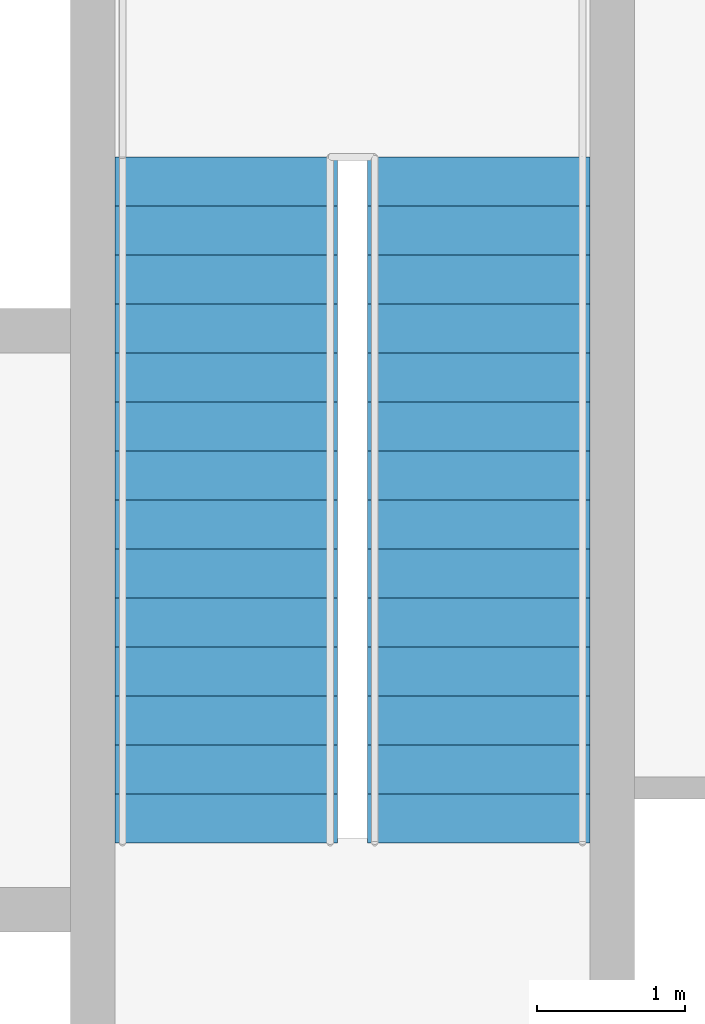
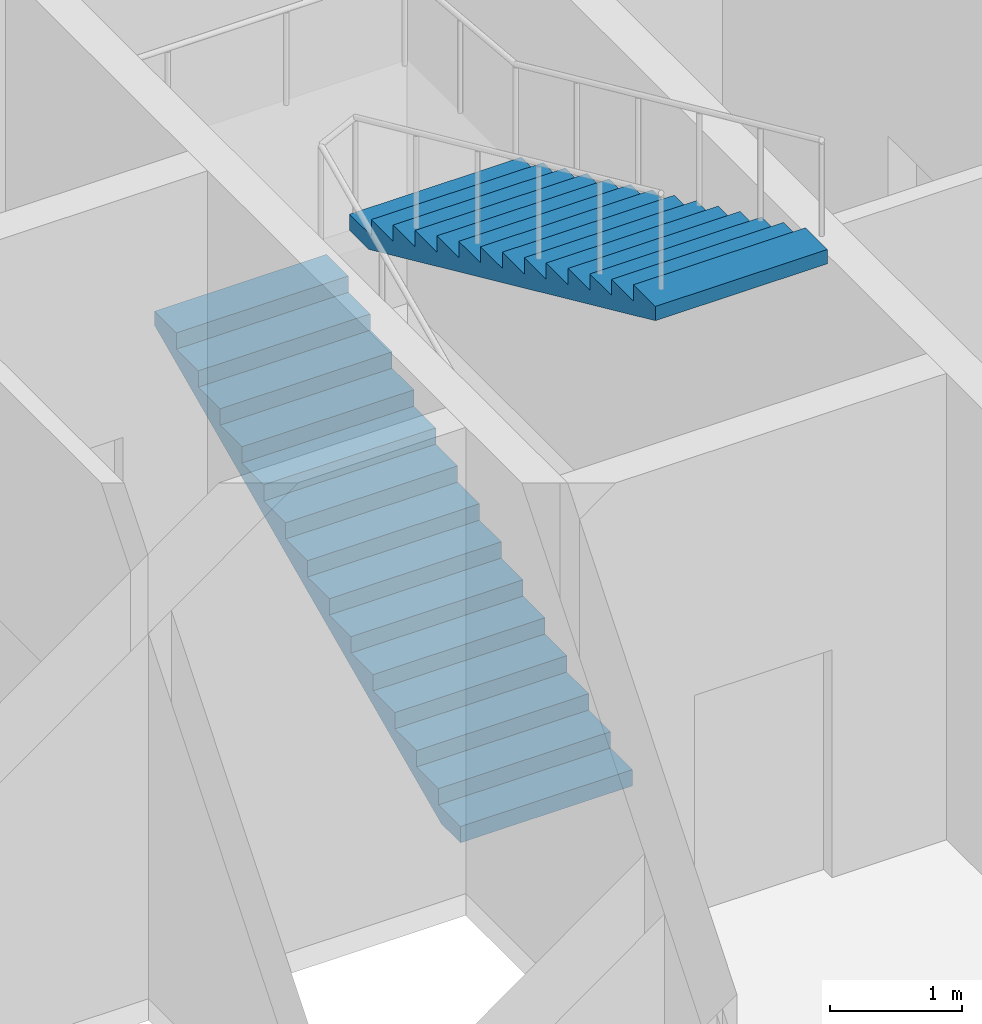
# One storey, part 10 of 11: 2 stair flights, 1 element without a shape of its own.
"""IFC4 building model written with IfcOpenShell, lengths in metres."""

from ifc_helpers import new_model, si_unit, direction, frame, origin, place, context, subcontext, project, spatial, polygons, material, type_object, element, aggregate, save


model = new_model("IFC4")

# Units and contexts
model_context = context("Model", 3, precision=1e-05, world=origin(), true_north=direction((0.0, 1.0)))
body_context = subcontext(model_context, "Body", "Model", "MODEL_VIEW")
ifc_project = project(units=[si_unit("LENGTHUNIT", "METRE"), si_unit("AREAUNIT", "SQUARE_METRE"), si_unit("VOLUMEUNIT", "CUBIC_METRE"), si_unit("PLANEANGLEUNIT", "RADIAN"), si_unit("MASSUNIT", "GRAM", prefix="KILO")], contexts=[model_context])

# Site, building, storey
site_placement = place(None, origin())
site = spatial("IfcSite", under=ifc_project, at=site_placement, CompositionType="ELEMENT")
building_placement = place(site_placement, origin())
building = spatial("IfcBuilding", under=site, at=building_placement, Name="Njiva Tower", CompositionType="ELEMENT")
storey_placement = place(building_placement, frame((0.0, 0.0, 120.3)))
storey = spatial("IfcBuildingStorey", under=building, at=storey_placement, Name="L25", CompositionType="ELEMENT", Elevation=120.3)

# Stair, stair flights
ifc_material = material(Name="Concrete C40/50", Category="concrete")
stair_type = type_object("IfcStairType", Name="ST4 Exit stair 1500", PredefinedType="HALF_TURN_STAIR", material=ifc_material)
stair_placement = place(storey_placement, origin())
stair = element("IfcStair", 1, at=stair_placement, inside=storey, type_object=stair_type, Name="Stair B", PredefinedType="HALF_TURN_STAIR")
stair_flight_type = type_object("IfcStairFlightType", Name="FL4 Stair flight 1500", PredefinedType="STRAIGHT", material=ifc_material)
stair_flight_1_placement = place(storey_placement, frame((11.75, 11.1, 0.0), z_axis=(0.0, 0.0, 1.0), x_axis=(0.0, 1.0, 0.0)))
stair_flight_1 = element("IfcStairFlight", 2, at=stair_flight_1_placement, type_object=stair_flight_type, Name="ST-B flight 1", NumberOfRisers=15, NumberOfTreads=14, PredefinedType="STRAIGHT", RiserHeight=0.15, TreadLength=0.33, context=body_context, shape_type="Tessellation", body=[
    polygons([(0.0, 0.75, 0.0), (0.0, 0.375, 0.0), (0.0, 0.0, 0.0), (0.0, -0.375, 0.0), (0.0, -0.75, 0.0), (0.0, 0.75, 0.15), (0.0, 0.375, 0.15), (0.0, 0.0, 0.15), (0.0, -0.375, 0.15), (0.0, -0.75, 0.15), (0.33, 0.75, 0.15), (0.33, 0.375, 0.15), (0.33, 0.0, 0.15), (0.33, -0.375, 0.15), (0.33, -0.75, 0.15), (0.33, 0.75, 0.3), (0.33, 0.375, 0.3), (0.33, 0.0, 0.3), (0.33, -0.375, 0.3), (0.33, -0.75, 0.3), (0.66, 0.75, 0.3), (0.66, 0.375, 0.3), (0.66, 0.0, 0.3), (0.66, -0.375, 0.3), (0.66, -0.75, 0.3), (0.66, 0.75, 0.45), (0.66, 0.375, 0.45), (0.66, 0.0, 0.45), (0.66, -0.375, 0.45), (0.66, -0.75, 0.45), (0.99, 0.75, 0.45), (0.99, 0.375, 0.45), (0.99, 0.0, 0.45), (0.99, -0.375, 0.45), (0.99, -0.75, 0.45), (0.99, 0.75, 0.6), (0.99, 0.375, 0.6), (0.99, 0.0, 0.6), (0.99, -0.375, 0.6), (0.99, -0.75, 0.6), (1.32, 0.75, 0.6), (1.32, 0.375, 0.6), (1.32, 0.0, 0.6), (1.32, -0.375, 0.6), (1.32, -0.75, 0.6), (1.32, 0.75, 0.75), (1.32, 0.375, 0.75), (1.32, 0.0, 0.75), (1.32, -0.375, 0.75), (1.32, -0.75, 0.75), (1.65, 0.75, 0.75), (1.65, 0.375, 0.75), (1.65, 0.0, 0.75), (1.65, -0.375, 0.75), (1.65, -0.75, 0.75), (1.65, 0.75, 0.9), (1.65, 0.375, 0.9), (1.65, 0.0, 0.9), (1.65, -0.375, 0.9), (1.65, -0.75, 0.9), (1.98, 0.75, 0.9), (1.98, 0.375, 0.9), (1.98, 0.0, 0.9), (1.98, -0.375, 0.9), (1.98, -0.75, 0.9), (1.98, 0.75, 1.05), (1.98, 0.375, 1.05), (1.98, 0.0, 1.05), (1.98, -0.375, 1.05), (1.98, -0.75, 1.05), (2.31, 0.75, 1.05), (2.31, 0.375, 1.05), (2.31, 0.0, 1.05), (2.31, -0.375, 1.05), (2.31, -0.75, 1.05), (2.31, 0.75, 1.2), (2.31, 0.375, 1.2), (2.31, 0.0, 1.2), (2.31, -0.375, 1.2), (2.31, -0.75, 1.2), (2.64, 0.75, 1.2), (2.64, 0.375, 1.2), (2.64, 0.0, 1.2), (2.64, -0.375, 1.2), (2.64, -0.75, 1.2), (2.64, 0.75, 1.35), (2.64, 0.375, 1.35), (2.64, 0.0, 1.35), (2.64, -0.375, 1.35), (2.64, -0.75, 1.35), (2.97, 0.75, 1.35), (2.97, 0.375, 1.35), (2.97, 0.0, 1.35), (2.97, -0.375, 1.35), (2.97, -0.75, 1.35), (2.97, 0.75, 1.5), (2.97, 0.375, 1.5), (2.97, 0.0, 1.5), (2.97, -0.375, 1.5), (2.97, -0.75, 1.5), (3.3, 0.75, 1.5), (3.3, 0.375, 1.5), (3.3, 0.0, 1.5), (3.3, -0.375, 1.5), (3.3, -0.75, 1.5), (3.3, 0.75, 1.65), (3.3, 0.375, 1.65), (3.3, 0.0, 1.65), (3.3, -0.375, 1.65), (3.3, -0.75, 1.65), (3.63, 0.75, 1.65), (3.63, 0.375, 1.65), (3.63, 0.0, 1.65), (3.63, -0.375, 1.65), (3.63, -0.75, 1.65), (3.63, 0.75, 1.8), (3.63, 0.375, 1.8), (3.63, 0.0, 1.8), (3.63, -0.375, 1.8), (3.63, -0.75, 1.8), (3.96, 0.75, 1.8), (3.96, 0.375, 1.8), (3.96, 0.0, 1.8), (3.96, -0.375, 1.8), (3.96, -0.75, 1.8), (3.96, 0.75, 1.95), (3.96, 0.375, 1.95), (3.96, 0.0, 1.95), (3.96, -0.375, 1.95), (3.96, -0.75, 1.95), (4.29, 0.75, 1.95), (4.29, 0.375, 1.95), (4.29, 0.0, 1.95), (4.29, -0.375, 1.95), (4.29, -0.75, 1.95), (4.29, 0.75, 2.1), (4.29, 0.375, 2.1), (4.29, 0.0, 2.1), (4.29, -0.375, 2.1), (4.29, -0.75, 2.1), (4.62, 0.75, 2.1), (4.62, 0.375, 2.1), (4.62, 0.0, 2.1), (4.62, -0.375, 2.1), (4.62, -0.75, 2.1), (4.62, 0.75, 1.9682), (4.62, 0.375, 1.9682), (4.62, 0.0, 1.9682), (4.62, -0.375, 1.9682), (4.62, -0.75, 1.9682), (0.29, 0.75, 0.0), (0.29, 0.375, 0.0), (0.29, 0.0, 0.0), (0.29, -0.375, 0.0), (0.29, -0.75, 0.0)], [[[1, 6, 11, 16, 21, 26, 31, 36, 41, 46, 51, 56, 61, 66, 71, 76, 81, 86, 91, 96, 101, 106, 111, 116, 121, 126, 131, 136, 141, 146, 151]], [[155, 150, 145, 140, 135, 130, 125, 120, 115, 110, 105, 100, 95, 90, 85, 80, 75, 70, 65, 60, 55, 50, 45, 40, 35, 30, 25, 20, 15, 10, 5]], [[6, 1, 2, 7]], [[7, 2, 3, 8]], [[8, 3, 4, 9]], [[9, 4, 5, 10]], [[11, 6, 7, 12]], [[12, 7, 8, 13]], [[13, 8, 9, 14]], [[14, 9, 10, 15]], [[16, 11, 12, 17]], [[17, 12, 13, 18]], [[18, 13, 14, 19]], [[19, 14, 15, 20]], [[21, 16, 17, 22]], [[22, 17, 18, 23]], [[23, 18, 19, 24]], [[24, 19, 20, 25]], [[26, 21, 22, 27]], [[27, 22, 23, 28]], [[28, 23, 24, 29]], [[29, 24, 25, 30]], [[31, 26, 27, 32]], [[32, 27, 28, 33]], [[33, 28, 29, 34]], [[34, 29, 30, 35]], [[36, 31, 32, 37]], [[37, 32, 33, 38]], [[38, 33, 34, 39]], [[39, 34, 35, 40]], [[41, 36, 37, 42]], [[42, 37, 38, 43]], [[43, 38, 39, 44]], [[44, 39, 40, 45]], [[46, 41, 42, 47]], [[47, 42, 43, 48]], [[48, 43, 44, 49]], [[49, 44, 45, 50]], [[51, 46, 47, 52]], [[52, 47, 48, 53]], [[53, 48, 49, 54]], [[54, 49, 50, 55]], [[56, 51, 52, 57]], [[57, 52, 53, 58]], [[58, 53, 54, 59]], [[59, 54, 55, 60]], [[61, 56, 57, 62]], [[62, 57, 58, 63]], [[63, 58, 59, 64]], [[64, 59, 60, 65]], [[66, 61, 62, 67]], [[67, 62, 63, 68]], [[68, 63, 64, 69]], [[69, 64, 65, 70]], [[71, 66, 67, 72]], [[72, 67, 68, 73]], [[73, 68, 69, 74]], [[74, 69, 70, 75]], [[76, 71, 72, 77]], [[77, 72, 73, 78]], [[78, 73, 74, 79]], [[79, 74, 75, 80]], [[81, 76, 77, 82]], [[82, 77, 78, 83]], [[83, 78, 79, 84]], [[84, 79, 80, 85]], [[86, 81, 82, 87]], [[87, 82, 83, 88]], [[88, 83, 84, 89]], [[89, 84, 85, 90]], [[91, 86, 87, 92]], [[92, 87, 88, 93]], [[93, 88, 89, 94]], [[94, 89, 90, 95]], [[96, 91, 92, 97]], [[97, 92, 93, 98]], [[98, 93, 94, 99]], [[99, 94, 95, 100]], [[101, 96, 97, 102]], [[102, 97, 98, 103]], [[103, 98, 99, 104]], [[104, 99, 100, 105]], [[106, 101, 102, 107]], [[107, 102, 103, 108]], [[108, 103, 104, 109]], [[109, 104, 105, 110]], [[111, 106, 107, 112]], [[112, 107, 108, 113]], [[113, 108, 109, 114]], [[114, 109, 110, 115]], [[116, 111, 112, 117]], [[117, 112, 113, 118]], [[118, 113, 114, 119]], [[119, 114, 115, 120]], [[121, 116, 117, 122]], [[122, 117, 118, 123]], [[123, 118, 119, 124]], [[124, 119, 120, 125]], [[126, 121, 122, 127]], [[127, 122, 123, 128]], [[128, 123, 124, 129]], [[129, 124, 125, 130]], [[131, 126, 127, 132]], [[132, 127, 128, 133]], [[133, 128, 129, 134]], [[134, 129, 130, 135]], [[136, 131, 132, 137]], [[137, 132, 133, 138]], [[138, 133, 134, 139]], [[139, 134, 135, 140]], [[141, 136, 137, 142]], [[142, 137, 138, 143]], [[143, 138, 139, 144]], [[144, 139, 140, 145]], [[146, 141, 142, 147]], [[147, 142, 143, 148]], [[148, 143, 144, 149]], [[149, 144, 145, 150]], [[151, 146, 147, 152]], [[152, 147, 148, 153]], [[153, 148, 149, 154]], [[154, 149, 150, 155]], [[1, 151, 152, 2]], [[2, 152, 153, 3]], [[3, 153, 154, 4]], [[4, 154, 155, 5]]], closed=True),
])
stair_flight_2_placement = place(storey_placement, frame((13.45, 15.72, 2.25), z_axis=(0.0, 0.0, 1.0), x_axis=(0.0, -1.0, 0.0)))
stair_flight_2 = element("IfcStairFlight", 3, at=stair_flight_2_placement, type_object=stair_flight_type, Name="ST-B flight 2", NumberOfRisers=15, NumberOfTreads=14, PredefinedType="STRAIGHT", RiserHeight=0.15, TreadLength=0.33, context=body_context, shape_type="Tessellation", body=[
    polygons([(0.0, 0.75, 0.0), (0.0, 0.375, 0.0), (0.0, 0.0, 0.0), (0.0, -0.375, 0.0), (0.0, -0.75, 0.0), (0.0, 0.75, 0.15), (0.0, 0.375, 0.15), (0.0, 0.0, 0.15), (0.0, -0.375, 0.15), (0.0, -0.75, 0.15), (0.33, 0.75, 0.15), (0.33, 0.375, 0.15), (0.33, 0.0, 0.15), (0.33, -0.375, 0.15), (0.33, -0.75, 0.15), (0.33, 0.75, 0.3), (0.33, 0.375, 0.3), (0.33, 0.0, 0.3), (0.33, -0.375, 0.3), (0.33, -0.75, 0.3), (0.66, 0.75, 0.3), (0.66, 0.375, 0.3), (0.66, 0.0, 0.3), (0.66, -0.375, 0.3), (0.66, -0.75, 0.3), (0.66, 0.75, 0.45), (0.66, 0.375, 0.45), (0.66, 0.0, 0.45), (0.66, -0.375, 0.45), (0.66, -0.75, 0.45), (0.99, 0.75, 0.45), (0.99, 0.375, 0.45), (0.99, 0.0, 0.45), (0.99, -0.375, 0.45), (0.99, -0.75, 0.45), (0.99, 0.75, 0.6), (0.99, 0.375, 0.6), (0.99, 0.0, 0.6), (0.99, -0.375, 0.6), (0.99, -0.75, 0.6), (1.32, 0.75, 0.6), (1.32, 0.375, 0.6), (1.32, 0.0, 0.6), (1.32, -0.375, 0.6), (1.32, -0.75, 0.6), (1.32, 0.75, 0.75), (1.32, 0.375, 0.75), (1.32, 0.0, 0.75), (1.32, -0.375, 0.75), (1.32, -0.75, 0.75), (1.65, 0.75, 0.75), (1.65, 0.375, 0.75), (1.65, 0.0, 0.75), (1.65, -0.375, 0.75), (1.65, -0.75, 0.75), (1.65, 0.75, 0.9), (1.65, 0.375, 0.9), (1.65, 0.0, 0.9), (1.65, -0.375, 0.9), (1.65, -0.75, 0.9), (1.98, 0.75, 0.9), (1.98, 0.375, 0.9), (1.98, 0.0, 0.9), (1.98, -0.375, 0.9), (1.98, -0.75, 0.9), (1.98, 0.75, 1.05), (1.98, 0.375, 1.05), (1.98, 0.0, 1.05), (1.98, -0.375, 1.05), (1.98, -0.75, 1.05), (2.31, 0.75, 1.05), (2.31, 0.375, 1.05), (2.31, 0.0, 1.05), (2.31, -0.375, 1.05), (2.31, -0.75, 1.05), (2.31, 0.75, 1.2), (2.31, 0.375, 1.2), (2.31, 0.0, 1.2), (2.31, -0.375, 1.2), (2.31, -0.75, 1.2), (2.64, 0.75, 1.2), (2.64, 0.375, 1.2), (2.64, 0.0, 1.2), (2.64, -0.375, 1.2), (2.64, -0.75, 1.2), (2.64, 0.75, 1.35), (2.64, 0.375, 1.35), (2.64, 0.0, 1.35), (2.64, -0.375, 1.35), (2.64, -0.75, 1.35), (2.97, 0.75, 1.35), (2.97, 0.375, 1.35), (2.97, 0.0, 1.35), (2.97, -0.375, 1.35), (2.97, -0.75, 1.35), (2.97, 0.75, 1.5), (2.97, 0.375, 1.5), (2.97, 0.0, 1.5), (2.97, -0.375, 1.5), (2.97, -0.75, 1.5), (3.3, 0.75, 1.5), (3.3, 0.375, 1.5), (3.3, 0.0, 1.5), (3.3, -0.375, 1.5), (3.3, -0.75, 1.5), (3.3, 0.75, 1.65), (3.3, 0.375, 1.65), (3.3, 0.0, 1.65), (3.3, -0.375, 1.65), (3.3, -0.75, 1.65), (3.63, 0.75, 1.65), (3.63, 0.375, 1.65), (3.63, 0.0, 1.65), (3.63, -0.375, 1.65), (3.63, -0.75, 1.65), (3.63, 0.75, 1.8), (3.63, 0.375, 1.8), (3.63, 0.0, 1.8), (3.63, -0.375, 1.8), (3.63, -0.75, 1.8), (3.96, 0.75, 1.8), (3.96, 0.375, 1.8), (3.96, 0.0, 1.8), (3.96, -0.375, 1.8), (3.96, -0.75, 1.8), (3.96, 0.75, 1.95), (3.96, 0.375, 1.95), (3.96, 0.0, 1.95), (3.96, -0.375, 1.95), (3.96, -0.75, 1.95), (4.29, 0.75, 1.95), (4.29, 0.375, 1.95), (4.29, 0.0, 1.95), (4.29, -0.375, 1.95), (4.29, -0.75, 1.95), (4.29, 0.75, 2.1), (4.29, 0.375, 2.1), (4.29, 0.0, 2.1), (4.29, -0.375, 2.1), (4.29, -0.75, 2.1), (4.62, 0.75, 2.1), (4.62, 0.375, 2.1), (4.62, 0.0, 2.1), (4.62, -0.375, 2.1), (4.62, -0.75, 2.1), (4.62, 0.75, 1.9682), (4.62, 0.375, 1.9682), (4.62, 0.0, 1.9682), (4.62, -0.375, 1.9682), (4.62, -0.75, 1.9682), (0.29, 0.75, 0.0), (0.29, 0.375, 0.0), (0.29, 0.0, 0.0), (0.29, -0.375, 0.0), (0.29, -0.75, 0.0)], [[[1, 6, 11, 16, 21, 26, 31, 36, 41, 46, 51, 56, 61, 66, 71, 76, 81, 86, 91, 96, 101, 106, 111, 116, 121, 126, 131, 136, 141, 146, 151]], [[155, 150, 145, 140, 135, 130, 125, 120, 115, 110, 105, 100, 95, 90, 85, 80, 75, 70, 65, 60, 55, 50, 45, 40, 35, 30, 25, 20, 15, 10, 5]], [[6, 1, 2, 7]], [[7, 2, 3, 8]], [[8, 3, 4, 9]], [[9, 4, 5, 10]], [[11, 6, 7, 12]], [[12, 7, 8, 13]], [[13, 8, 9, 14]], [[14, 9, 10, 15]], [[16, 11, 12, 17]], [[17, 12, 13, 18]], [[18, 13, 14, 19]], [[19, 14, 15, 20]], [[21, 16, 17, 22]], [[22, 17, 18, 23]], [[23, 18, 19, 24]], [[24, 19, 20, 25]], [[26, 21, 22, 27]], [[27, 22, 23, 28]], [[28, 23, 24, 29]], [[29, 24, 25, 30]], [[31, 26, 27, 32]], [[32, 27, 28, 33]], [[33, 28, 29, 34]], [[34, 29, 30, 35]], [[36, 31, 32, 37]], [[37, 32, 33, 38]], [[38, 33, 34, 39]], [[39, 34, 35, 40]], [[41, 36, 37, 42]], [[42, 37, 38, 43]], [[43, 38, 39, 44]], [[44, 39, 40, 45]], [[46, 41, 42, 47]], [[47, 42, 43, 48]], [[48, 43, 44, 49]], [[49, 44, 45, 50]], [[51, 46, 47, 52]], [[52, 47, 48, 53]], [[53, 48, 49, 54]], [[54, 49, 50, 55]], [[56, 51, 52, 57]], [[57, 52, 53, 58]], [[58, 53, 54, 59]], [[59, 54, 55, 60]], [[61, 56, 57, 62]], [[62, 57, 58, 63]], [[63, 58, 59, 64]], [[64, 59, 60, 65]], [[66, 61, 62, 67]], [[67, 62, 63, 68]], [[68, 63, 64, 69]], [[69, 64, 65, 70]], [[71, 66, 67, 72]], [[72, 67, 68, 73]], [[73, 68, 69, 74]], [[74, 69, 70, 75]], [[76, 71, 72, 77]], [[77, 72, 73, 78]], [[78, 73, 74, 79]], [[79, 74, 75, 80]], [[81, 76, 77, 82]], [[82, 77, 78, 83]], [[83, 78, 79, 84]], [[84, 79, 80, 85]], [[86, 81, 82, 87]], [[87, 82, 83, 88]], [[88, 83, 84, 89]], [[89, 84, 85, 90]], [[91, 86, 87, 92]], [[92, 87, 88, 93]], [[93, 88, 89, 94]], [[94, 89, 90, 95]], [[96, 91, 92, 97]], [[97, 92, 93, 98]], [[98, 93, 94, 99]], [[99, 94, 95, 100]], [[101, 96, 97, 102]], [[102, 97, 98, 103]], [[103, 98, 99, 104]], [[104, 99, 100, 105]], [[106, 101, 102, 107]], [[107, 102, 103, 108]], [[108, 103, 104, 109]], [[109, 104, 105, 110]], [[111, 106, 107, 112]], [[112, 107, 108, 113]], [[113, 108, 109, 114]], [[114, 109, 110, 115]], [[116, 111, 112, 117]], [[117, 112, 113, 118]], [[118, 113, 114, 119]], [[119, 114, 115, 120]], [[121, 116, 117, 122]], [[122, 117, 118, 123]], [[123, 118, 119, 124]], [[124, 119, 120, 125]], [[126, 121, 122, 127]], [[127, 122, 123, 128]], [[128, 123, 124, 129]], [[129, 124, 125, 130]], [[131, 126, 127, 132]], [[132, 127, 128, 133]], [[133, 128, 129, 134]], [[134, 129, 130, 135]], [[136, 131, 132, 137]], [[137, 132, 133, 138]], [[138, 133, 134, 139]], [[139, 134, 135, 140]], [[141, 136, 137, 142]], [[142, 137, 138, 143]], [[143, 138, 139, 144]], [[144, 139, 140, 145]], [[146, 141, 142, 147]], [[147, 142, 143, 148]], [[148, 143, 144, 149]], [[149, 144, 145, 150]], [[151, 146, 147, 152]], [[152, 147, 148, 153]], [[153, 148, 149, 154]], [[154, 149, 150, 155]], [[1, 151, 152, 2]], [[2, 152, 153, 3]], [[3, 153, 154, 4]], [[4, 154, 155, 5]]], closed=True),
])
aggregate(stair, [stair_flight_1, stair_flight_2])

save(model, "model.ifc")
